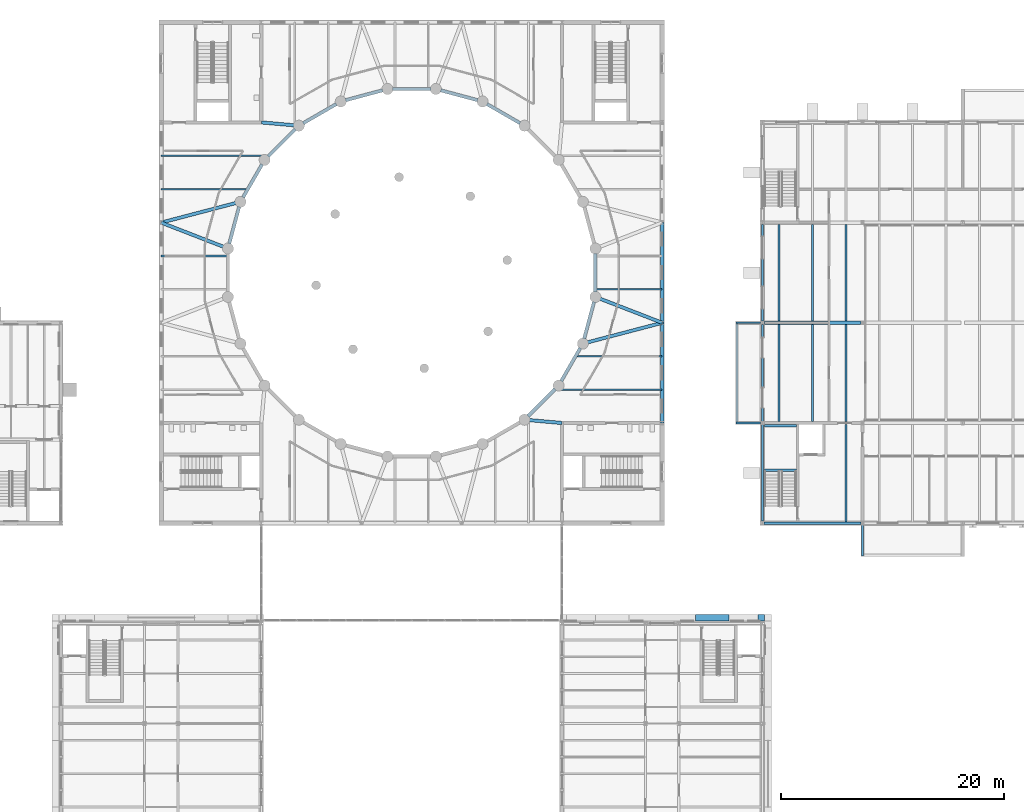
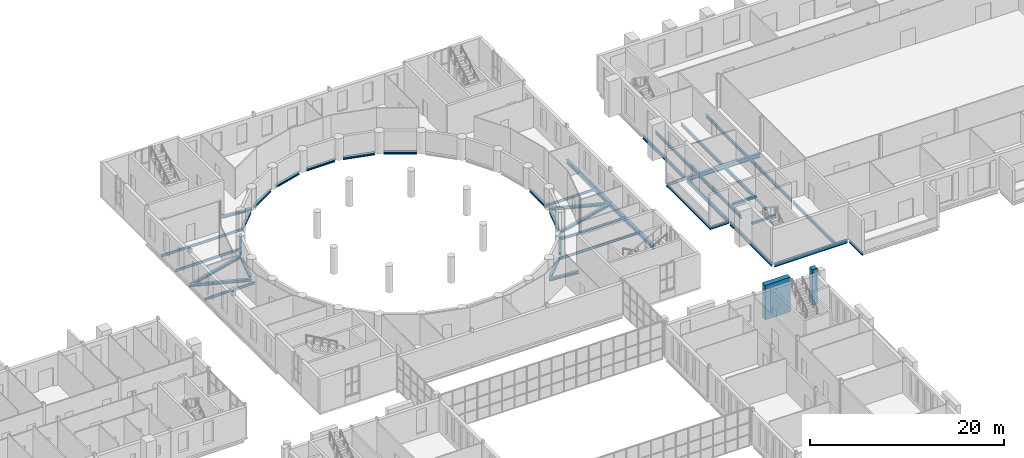
# One storey, part 47 of 134: 44 beams, 2 members.
"""IFC4 building model written with IfcOpenShell, lengths in metres."""

from ifc_helpers import new_model, si_unit, direction, frame, origin, origin_2d, place, context, subcontext, project, spatial, rectangle, i_section, extrude, material, material_profile, profile_set, type_object, element, save


model = new_model("IFC4")

# Units and contexts
model_context = context("Model", 3, precision=1e-05, world=origin(), true_north=direction((0.0, 1.0)))
body_context = subcontext(model_context, "Body", "Model", "MODEL_VIEW")
ifc_project = project(units=[si_unit("LENGTHUNIT", "METRE"), si_unit("AREAUNIT", "SQUARE_METRE"), si_unit("VOLUMEUNIT", "CUBIC_METRE"), si_unit("PLANEANGLEUNIT", "RADIAN"), si_unit("MASSUNIT", "GRAM", prefix="KILO")], contexts=[model_context])

# Site, building, storey
site_placement = place(None, origin())
site = spatial("IfcSite", under=ifc_project, at=site_placement, CompositionType="ELEMENT")
building_placement = place(site_placement, origin())
building = spatial("IfcBuilding", under=site, at=building_placement, Name="Golden Quay Civic Hall", CompositionType="ELEMENT")
storey_placement = place(building_placement, frame((0.0, 0.0, 5.39990234375)))
storey = spatial("IfcBuildingStorey", under=building, at=storey_placement, Name="L01", CompositionType="ELEMENT", Elevation=5.39990234375)

# Beams
ifc_material_1 = material(Name="Steel S355", Category="steel")
ifc_material_profile_1 = material_profile(ifc_material_1, i_section(OverallWidth=0.159912109375, OverallDepth=0.330078125, WebThickness=0.007568359375, FlangeThickness=0.011474609375, FilletRadius=0.01806640625, at=origin_2d()), Name="IPE 330")
ifc_profile_set_1 = profile_set([ifc_material_profile_1], Name="Steel S355")
beam_type_1 = type_object("IfcBeamType", Name="Loggia head beam IPE 330", PredefinedType="BEAM", material=ifc_profile_set_1)
beam_1_placement = place(storey_placement, frame((114.72998046875, 72.080078125, -0.364990234375), z_axis=(0.0, 1.0, 0.0), x_axis=(-1.0, 0.0, 0.0)))
element("IfcBeam", 1, at=beam_1_placement, inside=storey, type_object=beam_type_1, Name="Loggia head beam IPE 330 L01 16", PredefinedType="BEAM", context=body_context, shape_type="SweptSolid", body=[
    extrude(i_section(OverallWidth=0.159912109375, OverallDepth=0.330078125, WebThickness=0.007568359375, FlangeThickness=0.011474609375, FilletRadius=0.01806640625, at=origin_2d()), origin(), (0.0, 0.0, 1.0), 8.83984375),
])
ifc_material_2 = material(Name="Steel S355", Category="steel")
ifc_material_profile_2 = material_profile(ifc_material_2, i_section(OverallWidth=0.159912109375, OverallDepth=0.330078125, WebThickness=0.007568359375, FlangeThickness=0.011474609375, FilletRadius=0.01806640625, at=origin_2d()), Name="IPE 330")
ifc_profile_set_2 = profile_set([ifc_material_profile_2], Name="Steel S355")
beam_type_2 = type_object("IfcBeamType", Name="Loggia stub IPE 330", PredefinedType="BEAM", material=ifc_profile_set_2)
beam_2_placement = place(storey_placement, frame((126.0, 62.820068359375, -0.364990234375), z_axis=(0.0, -1.0, 0.0), x_axis=(1.0, 0.0, 0.0)))
element("IfcBeam", 2, at=beam_2_placement, inside=storey, type_object=beam_type_2, Name="Loggia stub IPE 330 L01 16", PredefinedType="BEAM", context=body_context, shape_type="SweptSolid", body=[
    extrude(i_section(OverallWidth=0.159912109375, OverallDepth=0.330078125, WebThickness=0.007568359375, FlangeThickness=0.011474609375, FilletRadius=0.01806640625, at=origin_2d()), origin(), (0.0, 0.0, 1.0), 2.77001953125),
])
for number, where, z_axis, x_axis, name in (
    (3, (116.85009765625, 72.0, -0.364990234375), (-1.0, 0.0, 0.0), (0.0, -1.0, 0.0), "Loggia stub IPE 330 L01 25"),
    (4, (116.85009765625, 81.0, -0.364990234375), (-1.0, 0.0, 0.0), (0.0, -1.0, 0.0), "Loggia stub IPE 330 L01 26"),
):
    element("IfcBeam", number, at=place(storey_placement, frame(where, z_axis=z_axis, x_axis=x_axis)), inside=storey, type_object=beam_type_2, Name=name, PredefinedType="BEAM", context=body_context, shape_type="SweptSolid", body=[
        extrude(i_section(OverallWidth=0.159912109375, OverallDepth=0.330078125, WebThickness=0.007568359375, FlangeThickness=0.011474609375, FilletRadius=0.01806640625, at=origin_2d()), origin(), (0.0, 0.0, 1.0), 2.2001953125),
    ])

# Members
ifc_material_3 = material(Name="Concrete C40/50", Category="concrete")
ifc_material_profile_3 = material_profile(ifc_material_3, rectangle(XDim=3.0, YDim=0.60009765625, at=origin_2d()), Name="RC 3000x600")
ifc_profile_set_3 = profile_set([ifc_material_profile_3], Name="Concrete C40/50")
member_type_1 = type_object("IfcMemberType", Name="Precast concrete facade pier 3000 x 600", PredefinedType="POST", material=ifc_profile_set_3)
member_1_placement = place(storey_placement, frame((112.5, 54.5, 0.130126953125), z_axis=(0.0, 0.0, 1.0), x_axis=(1.0, 0.0, 0.0)))
element("IfcMember", 5, at=member_1_placement, inside=storey, type_object=member_type_1, Name="Precast concrete facade pier 3000 x 600 L01 27", PredefinedType="POST", context=body_context, shape_type="SweptSolid", body=[
    extrude(rectangle(XDim=3.0, YDim=0.60009765625, at=origin_2d()), origin(), (0.0, 0.0, 1.0), 4.369873046875),
])
ifc_material_4 = material(Name="Concrete C40/50", Category="concrete")
ifc_material_profile_4 = material_profile(ifc_material_4, rectangle(XDim=0.60009765625, YDim=0.60009765625, at=origin_2d()), Name="RC 600x600")
ifc_profile_set_4 = profile_set([ifc_material_profile_4], Name="Concrete C40/50")
member_type_2 = type_object("IfcMemberType", Name="Precast concrete facade post 600 x 600", PredefinedType="POST", material=ifc_profile_set_4)
member_2_placement = place(storey_placement, frame((116.89990234375, 54.5, 0.0), z_axis=(0.0, 0.0, 1.0), x_axis=(1.0, 0.0, 0.0)))
element("IfcMember", 6, at=member_2_placement, inside=storey, type_object=member_type_2, Name="Precast concrete facade post 600 x 600 L01 11", PredefinedType="POST", context=body_context, shape_type="SweptSolid", body=[
    extrude(rectangle(XDim=0.60009765625, YDim=0.60009765625, at=origin_2d()), origin(), (0.0, 0.0, 1.0), 4.5),
])

# Beams
ifc_material_5 = material(Name="Concrete C35/45", Category="concrete")
ifc_material_profile_5 = material_profile(ifc_material_5, rectangle(XDim=0.25, YDim=0.25, at=origin_2d()), Name="RC 250x250")
ifc_profile_set_5 = profile_set([ifc_material_profile_5], Name="Concrete C35/45")
beam_type_3 = type_object("IfcBeamType", Name="Reinforced concrete landing beam 250x250", PredefinedType="BEAM", material=ifc_profile_set_5)
for number, where, z_axis, x_axis, name in (
    (7, (120.050048828125, 67.7548828125, 1.925048828125), (-1.0, 0.0, 0.0), (0.0, -1.0, 0.0), "L01 LB-STW L01 far landing trimmer beam 1"),
    (8, (120.050048828125, 71.75, 1.925048828125), (-1.0, 0.0, 0.0), (0.0, -1.0, 0.0), "L01 LB-STW L01 far landing trimmer beam 2"),
):
    element("IfcBeam", number, at=place(storey_placement, frame(where, z_axis=z_axis, x_axis=x_axis)), inside=storey, type_object=beam_type_3, Name=name, PredefinedType="BEAM", context=body_context, shape_type="SweptSolid", body=[
        extrude(rectangle(XDim=0.25, YDim=0.25, at=origin_2d()), origin(), (0.0, 0.0, 1.0), 2.85009765625),
    ])
ifc_material_6 = material(Name="Steel S355", Category="steel")
ifc_material_profile_6 = material_profile(ifc_material_6, i_section(OverallWidth=0.18994140625, OverallDepth=0.449951171875, WebThickness=0.009521484375, FlangeThickness=0.0146484375, FilletRadius=0.02099609375, at=origin_2d()), Name="IPE 450")
ifc_profile_set_6 = profile_set([ifc_material_profile_6], Name="Steel S355")
beam_type_4 = type_object("IfcBeamType", Name="Steel edge beam IPE 450", PredefinedType="BEAM", material=ifc_profile_set_6)
beam_3_placement = place(storey_placement, frame((117.14990234375, 63.0, -0.4248046875), z_axis=(1.0, 0.0, 0.0), x_axis=(0.0, 1.0, 0.0)))
element("IfcBeam", 9, at=beam_3_placement, inside=storey, type_object=beam_type_4, Name="L01 edge beam 0-1", PredefinedType="BEAM", context=body_context, shape_type="SweptSolid", body=[
    extrude(i_section(OverallWidth=0.18994140625, OverallDepth=0.449951171875, WebThickness=0.009521484375, FlangeThickness=0.0146484375, FilletRadius=0.02099609375, at=origin_2d()), origin(), (0.0, 0.0, 1.0), 8.7001953125),
])
beam_4_placement = place(storey_placement, frame((117.0, 63.179931640625, -0.4248046875), z_axis=(0.0, 1.0, 0.0), x_axis=(-1.0, 0.0, 0.0)))
element("IfcBeam", 10, at=beam_4_placement, inside=storey, type_object=beam_type_4, Name="L01 edge beam u0-1", PredefinedType="BEAM", context=body_context, shape_type="SweptSolid", body=[
    extrude(i_section(OverallWidth=0.18994140625, OverallDepth=0.449951171875, WebThickness=0.009521484375, FlangeThickness=0.0146484375, FilletRadius=0.02099609375, at=origin_2d()), origin(), (0.0, 0.0, 1.0), 8.670166015625),
])
for number, where, z_axis, x_axis, name in (
    (11, (117.0, 72.14990234375, -0.4248046875), (0.0, 1.0, 0.0), (-1.0, 0.0, 0.0), "L01 edge beam u0-2"),
    (12, (117.0, 81.14990234375, -0.4248046875), (0.0, 1.0, 0.0), (-1.0, 0.0, 0.0), "L01 edge beam u0-3"),
):
    element("IfcBeam", number, at=place(storey_placement, frame(where, z_axis=z_axis, x_axis=x_axis)), inside=storey, type_object=beam_type_4, Name=name, PredefinedType="BEAM", context=body_context, shape_type="SweptSolid", body=[
        extrude(i_section(OverallWidth=0.18994140625, OverallDepth=0.449951171875, WebThickness=0.009521484375, FlangeThickness=0.0146484375, FilletRadius=0.02099609375, at=origin_2d()), origin(), (0.0, 0.0, 1.0), 8.7001953125),
    ])
ifc_material_7 = material(Name="Steel S355", Category="steel")
ifc_material_profile_7 = material_profile(ifc_material_7, i_section(OverallWidth=0.300048828125, OverallDepth=0.330078125, WebThickness=0.009521484375, FlangeThickness=0.0166015625, FilletRadius=0.027099609375, at=origin_2d()), Name="HEA 340")
ifc_profile_set_7 = profile_set([ifc_material_profile_7], Name="Steel S355")
beam_type_5 = type_object("IfcBeamType", Name="Steel girder HEA 340", PredefinedType="BEAM", material=ifc_profile_set_7)
beam_5_placement = place(storey_placement, frame((63.0, 90.0, -0.364990234375), z_axis=(0.932303363588, -0.361677257017, 0.0), x_axis=(0.361677257017, 0.932303363588, 0.0)))
element("IfcBeam", 13, at=beam_5_placement, inside=storey, type_object=beam_type_5, Name="Radial girder 11", PredefinedType="BEAM", context=body_context, shape_type="SweptSolid", body=[
    extrude(i_section(OverallWidth=0.300048828125, OverallDepth=0.330078125, WebThickness=0.009521484375, FlangeThickness=0.0166015625, FilletRadius=0.027099609375, at=origin_2d()), origin(), (0.0, 0.0, 1.0), 6.435791015625),
])
beam_6_placement = place(storey_placement, frame((63.0, 90.0, -0.364990234375), z_axis=(0.9672820247, 0.253703537011, 0.0), x_axis=(-0.253703537011, 0.9672820247, 0.0)))
element("IfcBeam", 14, at=beam_6_placement, inside=storey, type_object=beam_type_5, Name="Radial girder 12", PredefinedType="BEAM", context=body_context, shape_type="SweptSolid", body=[
    extrude(i_section(OverallWidth=0.300048828125, OverallDepth=0.330078125, WebThickness=0.009521484375, FlangeThickness=0.0166015625, FilletRadius=0.027099609375, at=origin_2d()), origin(), (0.0, 0.0, 1.0), 7.365478515625),
])
beam_7_placement = place(storey_placement, frame((108.0, 81.0, -0.364990234375), z_axis=(-0.932303363588, 0.361677257017, 0.0), x_axis=(-0.361677257017, -0.932303363588, 0.0)))
element("IfcBeam", 15, at=beam_7_placement, inside=storey, type_object=beam_type_5, Name="Radial girder 13", PredefinedType="BEAM", context=body_context, shape_type="SweptSolid", body=[
    extrude(i_section(OverallWidth=0.300048828125, OverallDepth=0.330078125, WebThickness=0.009521484375, FlangeThickness=0.0166015625, FilletRadius=0.027099609375, at=origin_2d()), origin(), (0.0, 0.0, 1.0), 6.435791015625),
])
beam_8_placement = place(storey_placement, frame((108.0, 81.0, -0.364990234375), z_axis=(-0.9672820247, -0.253703537011, 0.0), x_axis=(0.253703537011, -0.9672820247, 0.0)))
element("IfcBeam", 16, at=beam_8_placement, inside=storey, type_object=beam_type_5, Name="Radial girder 14", PredefinedType="BEAM", context=body_context, shape_type="SweptSolid", body=[
    extrude(i_section(OverallWidth=0.300048828125, OverallDepth=0.330078125, WebThickness=0.009521484375, FlangeThickness=0.0166015625, FilletRadius=0.027099609375, at=origin_2d()), origin(), (0.0, 0.0, 1.0), 7.365478515625),
])
for number, where, z_axis, x_axis, name in (
    (17, (99.0, 72.0, -0.364990234375), (-0.996145450714, 0.087716822918, 0.0), (-0.087716822918, -0.996145450714, 0.0), "Radial girder 18"),
    (18, (72.0, 99.0, -0.364990234375), (0.996145450714, -0.087716822918, 0.0), (0.087716822918, 0.996145450714, 0.0), "Radial girder 19"),
):
    element("IfcBeam", number, at=place(storey_placement, frame(where, z_axis=z_axis, x_axis=x_axis)), inside=storey, type_object=beam_type_5, Name=name, PredefinedType="BEAM", context=body_context, shape_type="SweptSolid", body=[
        extrude(i_section(OverallWidth=0.300048828125, OverallDepth=0.330078125, WebThickness=0.009521484375, FlangeThickness=0.0166015625, FilletRadius=0.027099609375, at=origin_2d()), origin(), (0.0, 0.0, 1.0), 3.381591796875),
    ])
ifc_material_8 = material(Name="Steel S355", Category="steel")
ifc_material_profile_8 = material_profile(ifc_material_8, i_section(OverallWidth=0.300048828125, OverallDepth=0.489990234375, WebThickness=0.011962890625, FlangeThickness=0.02294921875, FilletRadius=0.027099609375, at=origin_2d()), Name="HEA 500")
ifc_profile_set_8 = profile_set([ifc_material_profile_8], Name="Steel S355")
beam_type_6 = type_object("IfcBeamType", Name="Steel girder HEA 500", PredefinedType="BEAM", material=ifc_profile_set_8)
for number, where, z_axis, x_axis, name in (
    (19, (108.0, 72.0, -0.44482421875), (0.0, 1.0, 0.0), (-1.0, 0.0, 0.0), "Perimeter girder 4"),
    (20, (108.0, 81.0, -0.44482421875), (0.0, 1.0, 0.0), (-1.0, 0.0, 0.0), "Perimeter girder 8"),
):
    element("IfcBeam", number, at=place(storey_placement, frame(where, z_axis=z_axis, x_axis=x_axis)), inside=storey, type_object=beam_type_6, Name=name, PredefinedType="BEAM", context=body_context, shape_type="SweptSolid", body=[
        extrude(i_section(OverallWidth=0.300048828125, OverallDepth=0.489990234375, WebThickness=0.011962890625, FlangeThickness=0.02294921875, FilletRadius=0.027099609375, at=origin_2d()), origin(), (0.0, 0.0, 1.0), 9.0),
    ])
ifc_material_9 = material(Name="Steel S355", Category="steel")
ifc_material_profile_9 = material_profile(ifc_material_9, i_section(OverallWidth=0.300048828125, OverallDepth=0.5, WebThickness=0.014404296875, FlangeThickness=0.028076171875, FilletRadius=0.027099609375, at=origin_2d()), Name="HEB 500")
ifc_profile_set_9 = profile_set([ifc_material_profile_9], Name="Steel S355")
beam_type_7 = type_object("IfcBeamType", Name="Steel girder HEB 500", PredefinedType="BEAM", material=ifc_profile_set_9)
beam_9_placement = place(storey_placement, frame((117.14990234375, 81.0, -0.449951171875), z_axis=(1.0, 0.0, 0.0), x_axis=(0.0, 1.0, 0.0)))
element("IfcBeam", 21, at=beam_9_placement, inside=storey, type_object=beam_type_7, Name="L01 girder 18-1", PredefinedType="BEAM", context=body_context, shape_type="SweptSolid", body=[
    extrude(i_section(OverallWidth=0.300048828125, OverallDepth=0.5, WebThickness=0.014404296875, FlangeThickness=0.028076171875, FilletRadius=0.027099609375, at=origin_2d()), origin(), (0.0, 0.0, 1.0), 8.7001953125),
])
ifc_material_10 = material(Name="Steel S355", Category="steel")
ifc_material_profile_10 = material_profile(ifc_material_10, i_section(OverallWidth=0.14990234375, OverallDepth=0.300048828125, WebThickness=0.007080078125, FlangeThickness=0.0107421875, FilletRadius=0.014892578125, at=origin_2d()), Name="IPE 300")
ifc_profile_set_10 = profile_set([ifc_material_profile_10], Name="Steel S355")
beam_type_8 = type_object("IfcBeamType", Name="Steel joist IPE 300", PredefinedType="JOIST", material=ifc_profile_set_10)
beam_10_placement = place(storey_placement, frame((63.0, 87.0, -0.349853515625), z_axis=(1.0, 0.0, 0.0), x_axis=(0.0, 1.0, 0.0)))
element("IfcBeam", 22, at=beam_10_placement, inside=storey, type_object=beam_type_8, Name="Floor joist 16", PredefinedType="JOIST", context=body_context, shape_type="SweptSolid", body=[
    extrude(i_section(OverallWidth=0.14990234375, OverallDepth=0.300048828125, WebThickness=0.007080078125, FlangeThickness=0.0107421875, FilletRadius=0.014892578125, at=origin_2d()), origin(), (0.0, 0.0, 1.0), 6.0),
])
beam_11_placement = place(storey_placement, frame((63.0, 93.0, -0.349853515625), z_axis=(1.0, 0.0, 0.0), x_axis=(0.0, 1.0, 0.0)))
element("IfcBeam", 23, at=beam_11_placement, inside=storey, type_object=beam_type_8, Name="Floor joist 17", PredefinedType="JOIST", context=body_context, shape_type="SweptSolid", body=[
    extrude(i_section(OverallWidth=0.14990234375, OverallDepth=0.300048828125, WebThickness=0.007080078125, FlangeThickness=0.0107421875, FilletRadius=0.014892578125, at=origin_2d()), origin(), (0.0, 0.0, 1.0), 7.777587890625),
])
for number, where, z_axis, x_axis, name in (
    (24, (63.0, 96.0, -0.349853515625), (1.0, 0.0, 0.0), (0.0, 1.0, 0.0), "Floor joist 18"),
    (25, (108.0, 75.0, -0.349853515625), (-1.0, 0.0, 0.0), (0.0, -1.0, 0.0), "Floor joist 19"),
):
    element("IfcBeam", number, at=place(storey_placement, frame(where, z_axis=z_axis, x_axis=x_axis)), inside=storey, type_object=beam_type_8, Name=name, PredefinedType="JOIST", context=body_context, shape_type="SweptSolid", body=[
        extrude(i_section(OverallWidth=0.14990234375, OverallDepth=0.300048828125, WebThickness=0.007080078125, FlangeThickness=0.0107421875, FilletRadius=0.014892578125, at=origin_2d()), origin(), (0.0, 0.0, 1.0), 9.66552734375),
    ])
beam_12_placement = place(storey_placement, frame((108.0, 78.0, -0.349853515625), z_axis=(-1.0, 0.0, 0.0), x_axis=(0.0, -1.0, 0.0)))
element("IfcBeam", 26, at=beam_12_placement, inside=storey, type_object=beam_type_8, Name="Floor joist 20", PredefinedType="JOIST", context=body_context, shape_type="SweptSolid", body=[
    extrude(i_section(OverallWidth=0.14990234375, OverallDepth=0.300048828125, WebThickness=0.007080078125, FlangeThickness=0.0107421875, FilletRadius=0.014892578125, at=origin_2d()), origin(), (0.0, 0.0, 1.0), 7.777587890625),
])
beam_13_placement = place(storey_placement, frame((108.0, 84.0, -0.349853515625), z_axis=(-1.0, 0.0, 0.0), x_axis=(0.0, -1.0, 0.0)))
element("IfcBeam", 27, at=beam_13_placement, inside=storey, type_object=beam_type_8, Name="Floor joist 21", PredefinedType="JOIST", context=body_context, shape_type="SweptSolid", body=[
    extrude(i_section(OverallWidth=0.14990234375, OverallDepth=0.300048828125, WebThickness=0.007080078125, FlangeThickness=0.0107421875, FilletRadius=0.014892578125, at=origin_2d()), origin(), (0.0, 0.0, 1.0), 6.0),
])
ifc_material_11 = material(Name="Steel S355", Category="steel")
ifc_material_profile_11 = material_profile(ifc_material_11, i_section(OverallWidth=0.179931640625, OverallDepth=0.39990234375, WebThickness=0.008544921875, FlangeThickness=0.013427734375, FilletRadius=0.02099609375, at=origin_2d()), Name="IPE 400")
ifc_profile_set_11 = profile_set([ifc_material_profile_11], Name="Steel S355")
beam_type_9 = type_object("IfcBeamType", Name="Steel joist IPE 400", PredefinedType="JOIST", material=ifc_profile_set_11)
beam_14_placement = place(storey_placement, frame((124.5, 63.094970703125, -0.39990234375), z_axis=(0.0, 1.0, 0.0), x_axis=(-1.0, 0.0, 0.0)))
element("IfcBeam", 28, at=beam_14_placement, inside=storey, type_object=beam_type_9, Name="L01 joist 1.1.3", PredefinedType="JOIST", context=body_context, shape_type="SweptSolid", body=[
    extrude(i_section(OverallWidth=0.179931640625, OverallDepth=0.39990234375, WebThickness=0.008544921875, FlangeThickness=0.013427734375, FilletRadius=0.02099609375, at=origin_2d()), origin(), (0.0, 0.0, 1.0), 8.780029296875),
])
for number, where, z_axis, x_axis, name in (
    (29, (118.5, 72.125, -0.39990234375), (0.0, 1.0, 0.0), (-1.0, 0.0, 0.0), "L01 joist 1.2.1"),
    (30, (121.5, 72.125, -0.39990234375), (0.0, 1.0, 0.0), (-1.0, 0.0, 0.0), "L01 joist 1.2.2"),
    (31, (124.5, 72.125, -0.39990234375), (0.0, 1.0, 0.0), (-1.0, 0.0, 0.0), "L01 joist 1.2.3"),
):
    element("IfcBeam", number, at=place(storey_placement, frame(where, z_axis=z_axis, x_axis=x_axis)), inside=storey, type_object=beam_type_9, Name=name, PredefinedType="JOIST", context=body_context, shape_type="SweptSolid", body=[
        extrude(i_section(OverallWidth=0.179931640625, OverallDepth=0.39990234375, WebThickness=0.008544921875, FlangeThickness=0.013427734375, FilletRadius=0.02099609375, at=origin_2d()), origin(), (0.0, 0.0, 1.0), 8.72509765625),
    ])
for number, where, z_axis, x_axis, name in (
    (32, (118.5, 81.14990234375, -0.39990234375), (0.0, 1.0, 0.0), (-1.0, 0.0, 0.0), "L01 joist 1.3.1"),
    (33, (121.5, 81.14990234375, -0.39990234375), (0.0, 1.0, 0.0), (-1.0, 0.0, 0.0), "L01 joist 1.3.2"),
    (34, (124.5, 81.14990234375, -0.39990234375), (0.0, 1.0, 0.0), (-1.0, 0.0, 0.0), "L01 joist 1.3.3"),
):
    element("IfcBeam", number, at=place(storey_placement, frame(where, z_axis=z_axis, x_axis=x_axis)), inside=storey, type_object=beam_type_9, Name=name, PredefinedType="JOIST", context=body_context, shape_type="SweptSolid", body=[
        extrude(i_section(OverallWidth=0.179931640625, OverallDepth=0.39990234375, WebThickness=0.008544921875, FlangeThickness=0.013427734375, FilletRadius=0.02099609375, at=origin_2d()), origin(), (0.0, 0.0, 1.0), 8.7001953125),
    ])
ifc_material_12 = material(Name="Steel S355", Category="steel")
ifc_material_profile_12 = material_profile(ifc_material_12, i_section(OverallWidth=0.300048828125, OverallDepth=0.2900390625, WebThickness=0.008544921875, FlangeThickness=0.013916015625, FilletRadius=0.027099609375, at=origin_2d()), Name="HEA 300")
ifc_profile_set_12 = profile_set([ifc_material_profile_12], Name="Steel S355")
beam_type_10 = type_object("IfcBeamType", Name="Steel ring girder HEA 300", PredefinedType="BEAM", material=ifc_profile_set_12)
for number, where, z_axis, x_axis, name in (
    (35, (95.241455078125, 98.92822265625, -0.344970703125), (-0.865996723973, 0.500049671601, 0.0), (-0.500049671601, -0.865996723973, 0.0), "Rotunda ring girder segment 4"),
    (36, (91.43408203125, 100.991943359375, -0.344970703125), (-0.965918943641, 0.258844730128, 0.0), (-0.258844730128, -0.965918943641, 0.0), "Rotunda ring girder segment 5"),
):
    element("IfcBeam", number, at=place(storey_placement, frame(where, z_axis=z_axis, x_axis=x_axis)), inside=storey, type_object=beam_type_10, Name=name, PredefinedType="BEAM", context=body_context, shape_type="SweptSolid", body=[
        extrude(i_section(OverallWidth=0.300048828125, OverallDepth=0.2900390625, WebThickness=0.008544921875, FlangeThickness=0.013916015625, FilletRadius=0.027099609375, at=origin_2d()), origin(), (0.0, 0.0, 1.0), 3.444580078125),
    ])
beam_15_placement = place(storey_placement, frame((87.22216796875, 102.0, -0.344970703125), z_axis=(-1.0, 0.0, 0.0), x_axis=(0.0, -1.0, 0.0)))
element("IfcBeam", 37, at=beam_15_placement, inside=storey, type_object=beam_type_10, Name="Rotunda ring girder segment 6", PredefinedType="BEAM", context=body_context, shape_type="SweptSolid", body=[
    extrude(i_section(OverallWidth=0.300048828125, OverallDepth=0.2900390625, WebThickness=0.008544921875, FlangeThickness=0.013916015625, FilletRadius=0.027099609375, at=origin_2d()), origin(), (0.0, 0.0, 1.0), 3.4443359375),
])
for number, where, z_axis, x_axis, name in (
    (38, (82.89306640625, 101.883544921875, -0.344970703125), (-0.965918943641, -0.258844730128, 0.0), (0.258844730128, -0.965918943641, 0.0), "Rotunda ring girder segment 7"),
    (39, (78.741455078125, 100.650634765625, -0.344970703125), (-0.865996723973, -0.500049671601, 0.0), (0.500049671601, -0.865996723973, 0.0), "Rotunda ring girder segment 8"),
):
    element("IfcBeam", number, at=place(storey_placement, frame(where, z_axis=z_axis, x_axis=x_axis)), inside=storey, type_object=beam_type_10, Name=name, PredefinedType="BEAM", context=body_context, shape_type="SweptSolid", body=[
        extrude(i_section(OverallWidth=0.300048828125, OverallDepth=0.2900390625, WebThickness=0.008544921875, FlangeThickness=0.013916015625, FilletRadius=0.027099609375, at=origin_2d()), origin(), (0.0, 0.0, 1.0), 3.444580078125),
    ])
beam_16_placement = place(storey_placement, frame((75.050537109375, 98.385009765625, -0.344970703125), z_axis=(-0.707106781187, -0.707106781187, 0.0), x_axis=(0.707106781187, -0.707106781187, 0.0)))
element("IfcBeam", 40, at=beam_16_placement, inside=storey, type_object=beam_type_10, Name="Rotunda ring girder segment 9", PredefinedType="BEAM", context=body_context, shape_type="SweptSolid", body=[
    extrude(i_section(OverallWidth=0.300048828125, OverallDepth=0.2900390625, WebThickness=0.008544921875, FlangeThickness=0.013916015625, FilletRadius=0.027099609375, at=origin_2d()), origin(), (0.0, 0.0, 1.0), 3.4443359375),
])
for number, where, z_axis, x_axis, name in (
    (41, (72.07177734375, 95.241455078125, -0.344970703125), (-0.500049671601, -0.865996723973, 0.0), (0.865996723973, -0.500049671601, 0.0), "Rotunda ring girder segment 10"),
    (42, (70.008056640625, 91.43408203125, -0.344970703125), (-0.258844730128, -0.965918943641, 0.0), (0.965918943641, -0.258844730128, 0.0), "Rotunda ring girder segment 11"),
):
    element("IfcBeam", number, at=place(storey_placement, frame(where, z_axis=z_axis, x_axis=x_axis)), inside=storey, type_object=beam_type_10, Name=name, PredefinedType="BEAM", context=body_context, shape_type="SweptSolid", body=[
        extrude(i_section(OverallWidth=0.300048828125, OverallDepth=0.2900390625, WebThickness=0.008544921875, FlangeThickness=0.013916015625, FilletRadius=0.027099609375, at=origin_2d()), origin(), (0.0, 0.0, 1.0), 3.444580078125),
    ])
beam_17_placement = place(storey_placement, frame((95.949462890625, 72.614990234375, -0.344970703125), z_axis=(0.707106781187, 0.707106781187, 0.0), x_axis=(-0.707106781187, 0.707106781187, 0.0)))
element("IfcBeam", 43, at=beam_17_placement, inside=storey, type_object=beam_type_10, Name="Rotunda ring girder segment 21", PredefinedType="BEAM", context=body_context, shape_type="SweptSolid", body=[
    extrude(i_section(OverallWidth=0.300048828125, OverallDepth=0.2900390625, WebThickness=0.008544921875, FlangeThickness=0.013916015625, FilletRadius=0.027099609375, at=origin_2d()), origin(), (0.0, 0.0, 1.0), 3.4443359375),
])
for number, where, z_axis, x_axis, name in (
    (44, (98.92822265625, 75.758544921875, -0.344970703125), (0.500049671601, 0.865996723973, 0.0), (-0.865996723973, 0.500049671601, 0.0), "Rotunda ring girder segment 22"),
    (45, (100.991943359375, 79.56591796875, -0.344970703125), (0.258844730128, 0.965918943641, 0.0), (-0.965918943641, 0.258844730128, 0.0), "Rotunda ring girder segment 23"),
):
    element("IfcBeam", number, at=place(storey_placement, frame(where, z_axis=z_axis, x_axis=x_axis)), inside=storey, type_object=beam_type_10, Name=name, PredefinedType="BEAM", context=body_context, shape_type="SweptSolid", body=[
        extrude(i_section(OverallWidth=0.300048828125, OverallDepth=0.2900390625, WebThickness=0.008544921875, FlangeThickness=0.013916015625, FilletRadius=0.027099609375, at=origin_2d()), origin(), (0.0, 0.0, 1.0), 3.444580078125),
    ])
beam_18_placement = place(storey_placement, frame((102.0, 83.77783203125, -0.344970703125), z_axis=(0.0, 1.0, 0.0), x_axis=(-1.0, 0.0, 0.0)))
element("IfcBeam", 46, at=beam_18_placement, inside=storey, type_object=beam_type_10, Name="Rotunda ring girder segment 24", PredefinedType="BEAM", context=body_context, shape_type="SweptSolid", body=[
    extrude(i_section(OverallWidth=0.300048828125, OverallDepth=0.2900390625, WebThickness=0.008544921875, FlangeThickness=0.013916015625, FilletRadius=0.027099609375, at=origin_2d()), origin(), (0.0, 0.0, 1.0), 3.4443359375),
])

save(model, "model.ifc")
